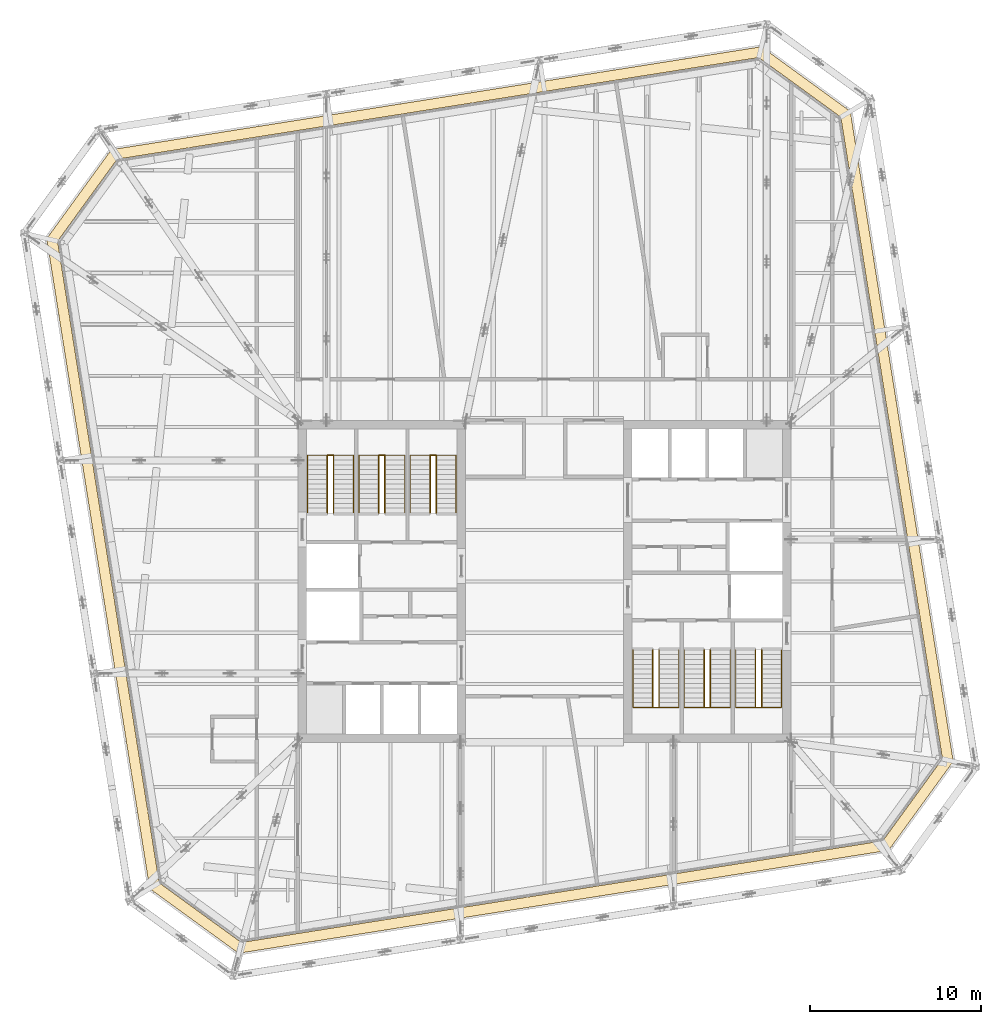
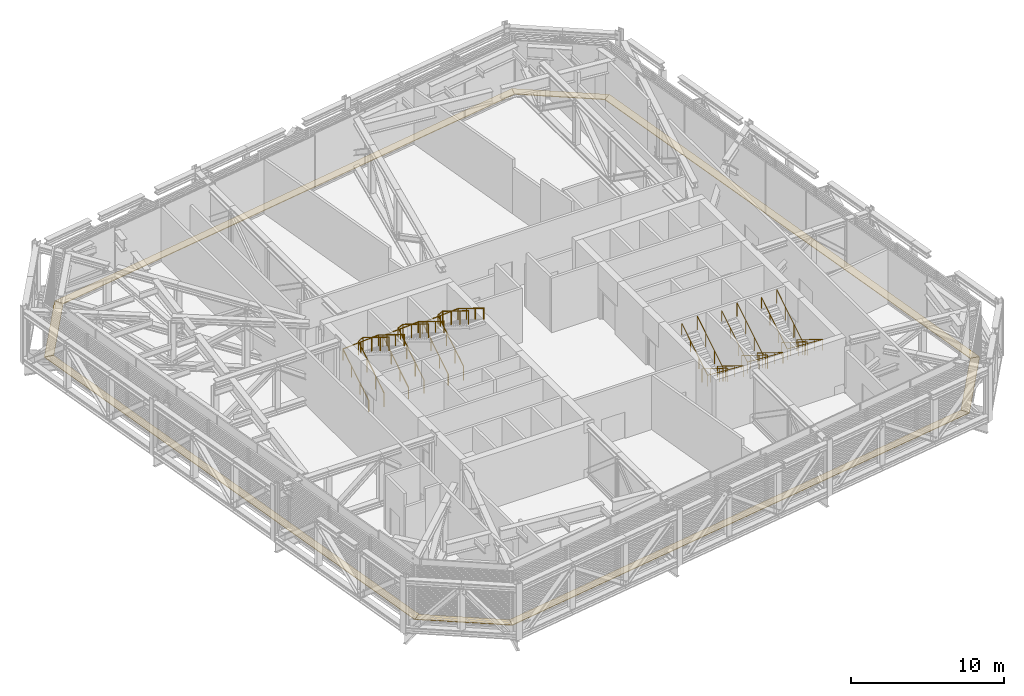
# One storey, part 31 of 32: 12 railings, 8 coverings.
"""IFC4 building model written with IfcOpenShell, lengths in metres."""

from ifc_helpers import new_model, si_unit, direction, frame, origin, origin_2d, place, context, subcontext, project, spatial, polyline, circle, outline, extrude, material, layer, layer_set, type_object, element, save


model = new_model("IFC4")

# Units and contexts
model_context = context("Model", 3, precision=1e-05, world=origin(), true_north=direction((0.0, 1.0)))
body_context = subcontext(model_context, "Body", "Model", "MODEL_VIEW")
ifc_project = project(units=[si_unit("LENGTHUNIT", "METRE"), si_unit("AREAUNIT", "SQUARE_METRE"), si_unit("VOLUMEUNIT", "CUBIC_METRE"), si_unit("PLANEANGLEUNIT", "RADIAN"), si_unit("MASSUNIT", "GRAM", prefix="KILO")], contexts=[model_context])

# Site, building, storey
site_placement = place(None, origin())
site = spatial("IfcSite", under=ifc_project, at=site_placement, CompositionType="ELEMENT")
building_placement = place(site_placement, origin())
building = spatial("IfcBuilding", under=site, at=building_placement, Name="Millrace Tower", CompositionType="ELEMENT")
storey_placement = place(building_placement, frame((0.0, 0.0, 266.89990234375)))
storey = spatial("IfcBuildingStorey", under=building, at=storey_placement, Name="L61", CompositionType="ELEMENT", Elevation=266.89990234375)

# Coverings
ifc_material_1 = material(Name="Steel ASTM A36", Category="steel")
ifc_layer = layer(ifc_material_1, 0.050048828125)
ifc_layer_set = layer_set([ifc_layer], Name="Steel ASTM A36")
covering_type = type_object("IfcCoveringType", Name="CAVITY CATWALK steel grating", PredefinedType="FLOORING", material=ifc_layer_set)
placement = place(storey_placement, frame((0.0, 0.0, 0.10009765625)))
element("IfcCovering", 1, at=placement, inside=storey, type_object=covering_type, Name="Cavity catwalk grating D-F01 L61 1", PredefinedType="FLOORING", context=body_context, shape_type="SweptSolid", body=[
    extrude(outline(polyline([(-23.052490234375, -17.939453125), (-17.85888671875, -21.712890625), (-17.707275390625, -21.081298828125), (-22.49853515625, -17.60009765625), (-23.052490234375, -17.939453125)])), origin(), (0.0, 0.0, 1.0), 0.050048828125),
])
element("IfcCovering", 2, at=placement, inside=storey, type_object=covering_type, Name="Cavity catwalk grating D-F02 L61 1", PredefinedType="FLOORING", context=body_context, shape_type="SweptSolid", body=[
    extrude(outline(polyline([(-17.85888671875, -21.712890625), (20.08935546875, -15.702392578125), (19.750244140625, -15.148681640625), (-17.707275390625, -21.081298828125), (-17.85888671875, -21.712890625)])), origin(), (0.0, 0.0, 1.0), 0.050048828125),
])
element("IfcCovering", 3, at=placement, inside=storey, type_object=covering_type, Name="Cavity catwalk grating D-F03 L61 1", PredefinedType="FLOORING", context=body_context, shape_type="SweptSolid", body=[
    extrude(outline(polyline([(20.08935546875, -15.702392578125), (23.86279296875, -10.5087890625), (23.231201171875, -10.357177734375), (19.750244140625, -15.148681640625), (20.08935546875, -15.702392578125)])), origin(), (0.0, 0.0, 1.0), 0.050048828125),
])
element("IfcCovering", 4, at=placement, inside=storey, type_object=covering_type, Name="Cavity catwalk grating D-F04 L61 1", PredefinedType="FLOORING", context=body_context, shape_type="SweptSolid", body=[
    extrude(outline(polyline([(23.86279296875, -10.5087890625), (17.852294921875, 27.439453125), (17.298583984375, 27.10009765625), (23.231201171875, -10.357177734375), (23.86279296875, -10.5087890625)])), origin(), (0.0, 0.0, 1.0), 0.050048828125),
])
element("IfcCovering", 5, at=placement, inside=storey, type_object=covering_type, Name="Cavity catwalk grating D-F05 L61 1", PredefinedType="FLOORING", context=body_context, shape_type="SweptSolid", body=[
    extrude(outline(polyline([(17.852294921875, 27.439453125), (12.658935546875, 31.212890625), (12.50732421875, 30.581298828125), (17.298583984375, 27.10009765625), (17.852294921875, 27.439453125)])), origin(), (0.0, 0.0, 1.0), 0.050048828125),
])
element("IfcCovering", 6, at=placement, inside=storey, type_object=covering_type, Name="Cavity catwalk grating D-F06 L61 1", PredefinedType="FLOORING", context=body_context, shape_type="SweptSolid", body=[
    extrude(outline(polyline([(12.658935546875, 31.212890625), (-25.28955078125, 25.202392578125), (-24.9501953125, 24.648681640625), (12.50732421875, 30.581298828125), (12.658935546875, 31.212890625)])), origin(), (0.0, 0.0, 1.0), 0.050048828125),
])
element("IfcCovering", 7, at=placement, inside=storey, type_object=covering_type, Name="Cavity catwalk grating D-F07 L61 1", PredefinedType="FLOORING", context=body_context, shape_type="SweptSolid", body=[
    extrude(outline(polyline([(-25.28955078125, 25.202392578125), (-29.062744140625, 20.0087890625), (-28.431396484375, 19.857177734375), (-24.9501953125, 24.648681640625), (-25.28955078125, 25.202392578125)])), origin(), (0.0, 0.0, 1.0), 0.050048828125),
])
element("IfcCovering", 8, at=placement, inside=storey, type_object=covering_type, Name="Cavity catwalk grating D-F08 L61 1", PredefinedType="FLOORING", context=body_context, shape_type="SweptSolid", body=[
    extrude(outline(polyline([(-29.062744140625, 20.0087890625), (-23.052490234375, -17.939453125), (-22.49853515625, -17.60009765625), (-28.431396484375, 19.857177734375), (-29.062744140625, 20.0087890625)])), origin(), (0.0, 0.0, 1.0), 0.050048828125),
])

# Railings
ifc_material_2 = material(Name="Stainless steel ASTM A240 type 316", Category="steel")
railing_type_1 = type_object("IfcRailingType", Name="Stair guard 1100", PredefinedType="GUARDRAIL", material=ifc_material_2)
for number, where, name in (
    (9, (-12.679931640625, 4.0, 0.173095703125), "Stair guard 1 W L61"),
    (10, (-9.679931640625, 4.0, 0.173095703125), "Stair guard 2 W L61"),
    (11, (-6.679931640625, 4.0, 0.173095703125), "Stair guard 3 W L61"),
):
    element("IfcRailing", number, at=place(storey_placement, frame(where)), inside=storey, type_object=railing_type_1, Name=name, PredefinedType="GUARDRAIL", context=body_context, shape_type="SweptSolid", body=[
        extrude(circle(Radius=0.02392578125, at=origin_2d()), frame((0.0, 0.0, 1.076171875), z_axis=(0.0, 0.850623216509, 0.525775754039), x_axis=(-1.0, 0.0, 0.0)), (0.0, 0.0, 1.0), 3.9501953125),
        extrude(circle(Radius=0.02392578125, at=origin_2d()), frame((0.0, 3.360107421875, 3.15283203125), z_axis=(0.901169764794, 0.0, 0.433466325128), x_axis=(0.0, 1.0, 0.0)), (0.0, 0.0, 1.0), 0.3994140625),
        extrude(circle(Radius=0.02392578125, at=origin_2d()), frame((0.35986328125, 3.360107421875, 3.326171875), z_axis=(0.0, -0.850623216509, 0.525775754039), x_axis=(1.0, 0.0, 0.0)), (0.0, 0.0, 1.0), 3.9501953125),
        extrude(circle(Radius=0.02099609375, at=origin_2d()), origin(), (0.0, 0.0, 1.0), 1.052001953125),
        extrude(circle(Radius=0.02099609375, at=origin_2d()), frame((0.0, 1.1201171875, 0.6923828125)), (0.0, 0.0, 1.0), 1.052001953125),
        extrude(circle(Radius=0.02099609375, at=origin_2d()), frame((0.0, 2.239990234375, 1.384521484375)), (0.0, 0.0, 1.0), 1.052001953125),
        extrude(circle(Radius=0.02099609375, at=origin_2d()), frame((0.0, 3.360107421875, 2.076904296875)), (0.0, 0.0, 1.0), 1.052001953125),
        extrude(circle(Radius=0.02099609375, at=origin_2d()), frame((0.35986328125, 3.360107421875, 2.25)), (0.0, 0.0, 1.0), 1.052001953125),
        extrude(circle(Radius=0.02099609375, at=origin_2d()), frame((0.35986328125, 2.239990234375, 2.9423828125)), (0.0, 0.0, 1.0), 1.052001953125),
        extrude(circle(Radius=0.02099609375, at=origin_2d()), frame((0.35986328125, 1.1201171875, 3.634521484375)), (0.0, 0.0, 1.0), 1.052001953125),
        extrude(circle(Radius=0.02099609375, at=origin_2d()), frame((0.35986328125, 0.0, 4.326904296875)), (0.0, 0.0, 1.0), 1.052001953125),
    ])
for number, where, name in (
    (12, (12.679931640625, -4.0, 0.173095703125), "Stair guard 1 E L61"),
    (13, (9.679931640625, -4.0, 0.173095703125), "Stair guard 2 E L61"),
    (14, (6.679931640625, -4.0, 0.173095703125), "Stair guard 3 E L61"),
):
    element("IfcRailing", number, at=place(storey_placement, frame(where)), inside=storey, type_object=railing_type_1, Name=name, PredefinedType="GUARDRAIL", context=body_context, shape_type="SweptSolid", body=[
        extrude(circle(Radius=0.02392578125, at=origin_2d()), frame((0.0, 0.0, 1.076171875), z_axis=(0.0, -0.850623216509, 0.525775754039), x_axis=(1.0, 0.0, 0.0)), (0.0, 0.0, 1.0), 3.9501953125),
        extrude(circle(Radius=0.02392578125, at=origin_2d()), frame((0.0, -3.360107421875, 3.15283203125), z_axis=(-0.901169764794, 0.0, 0.433466325128), x_axis=(0.0, -1.0, 0.0)), (0.0, 0.0, 1.0), 0.3994140625),
        extrude(circle(Radius=0.02392578125, at=origin_2d()), frame((-0.35986328125, -3.360107421875, 3.326171875), z_axis=(0.0, 0.850623216509, 0.525775754039), x_axis=(-1.0, 0.0, 0.0)), (0.0, 0.0, 1.0), 3.9501953125),
        extrude(circle(Radius=0.02099609375, at=origin_2d()), origin(), (0.0, 0.0, 1.0), 1.052001953125),
        extrude(circle(Radius=0.02099609375, at=origin_2d()), frame((0.0, -1.1201171875, 0.6923828125)), (0.0, 0.0, 1.0), 1.052001953125),
        extrude(circle(Radius=0.02099609375, at=origin_2d()), frame((0.0, -2.239990234375, 1.384521484375)), (0.0, 0.0, 1.0), 1.052001953125),
        extrude(circle(Radius=0.02099609375, at=origin_2d()), frame((0.0, -3.360107421875, 2.076904296875)), (0.0, 0.0, 1.0), 1.052001953125),
        extrude(circle(Radius=0.02099609375, at=origin_2d()), frame((-0.35986328125, -3.360107421875, 2.25)), (0.0, 0.0, 1.0), 1.052001953125),
        extrude(circle(Radius=0.02099609375, at=origin_2d()), frame((-0.35986328125, -2.239990234375, 2.9423828125)), (0.0, 0.0, 1.0), 1.052001953125),
        extrude(circle(Radius=0.02099609375, at=origin_2d()), frame((-0.35986328125, -1.1201171875, 3.634521484375)), (0.0, 0.0, 1.0), 1.052001953125),
        extrude(circle(Radius=0.02099609375, at=origin_2d()), frame((-0.35986328125, 0.0, 4.326904296875)), (0.0, 0.0, 1.0), 1.052001953125),
    ])
ifc_material_3 = material(Name="Stainless steel ASTM A240 type 316", Category="steel")
railing_type_2 = type_object("IfcRailingType", Name="Stair handrail 900", PredefinedType="HANDRAIL", material=ifc_material_3)
railing_1_placement = place(storey_placement, frame((-13.840087890625, 4.0, 0.173095703125)))
element("IfcRailing", 15, at=railing_1_placement, inside=storey, type_object=railing_type_2, Name="Stair handrail 1 W L61", PredefinedType="HANDRAIL", context=body_context, shape_type="SweptSolid", body=[
    extrude(circle(Radius=0.02392578125, at=origin_2d()), frame((0.0, 0.0, 0.8759765625), z_axis=(0.0, 0.850623216509, 0.525775754039), x_axis=(-1.0, 0.0, 0.0)), (0.0, 0.0, 1.0), 3.9501953125),
    extrude(circle(Radius=0.02392578125, at=origin_2d()), frame((0.0, 3.360107421875, 2.95263671875), z_axis=(0.997920973561, 0.0, 0.064449441634), x_axis=(0.0, 1.0, 0.0)), (0.0, 0.0, 1.0), 2.685791015625),
    extrude(circle(Radius=0.02392578125, at=origin_2d()), frame((2.68017578125, 3.360107421875, 3.1259765625), z_axis=(0.0, -0.850623216509, 0.525775754039), x_axis=(1.0, 0.0, 0.0)), (0.0, 0.0, 1.0), 3.9501953125),
    extrude(circle(Radius=0.02099609375, at=origin_2d()), origin(), (0.0, 0.0, 1.0), 0.851806640625),
    extrude(circle(Radius=0.02099609375, at=origin_2d()), frame((0.0, 1.1201171875, 0.6923828125)), (0.0, 0.0, 1.0), 0.851806640625),
    extrude(circle(Radius=0.02099609375, at=origin_2d()), frame((0.0, 2.239990234375, 1.384521484375)), (0.0, 0.0, 1.0), 0.851806640625),
    extrude(circle(Radius=0.02099609375, at=origin_2d()), frame((0.0, 3.360107421875, 2.076904296875)), (0.0, 0.0, 1.0), 0.851806640625),
    extrude(circle(Radius=0.02099609375, at=origin_2d()), frame((1.340087890625, 3.360107421875, 2.16357421875)), (0.0, 0.0, 1.0), 0.851806640625),
    extrude(circle(Radius=0.02099609375, at=origin_2d()), frame((2.68017578125, 3.360107421875, 2.25)), (0.0, 0.0, 1.0), 0.851806640625),
    extrude(circle(Radius=0.02099609375, at=origin_2d()), frame((2.68017578125, 2.239990234375, 2.9423828125)), (0.0, 0.0, 1.0), 0.851806640625),
    extrude(circle(Radius=0.02099609375, at=origin_2d()), frame((2.68017578125, 1.1201171875, 3.634521484375)), (0.0, 0.0, 1.0), 0.851806640625),
    extrude(circle(Radius=0.02099609375, at=origin_2d()), frame((2.68017578125, 0.0, 4.326904296875)), (0.0, 0.0, 1.0), 0.851806640625),
])
railing_2_placement = place(storey_placement, frame((-10.840087890625, 4.0, 0.173095703125)))
element("IfcRailing", 16, at=railing_2_placement, inside=storey, type_object=railing_type_2, Name="Stair handrail 2 W L61", PredefinedType="HANDRAIL", context=body_context, shape_type="SweptSolid", body=[
    extrude(circle(Radius=0.02392578125, at=origin_2d()), frame((0.0, 0.0, 0.8759765625), z_axis=(0.0, 0.850623216509, 0.525775754039), x_axis=(-1.0, 0.0, 0.0)), (0.0, 0.0, 1.0), 3.9501953125),
    extrude(circle(Radius=0.02392578125, at=origin_2d()), frame((0.0, 3.360107421875, 2.95263671875), z_axis=(0.997920973561, 0.0, 0.064449441634), x_axis=(0.0, 1.0, 0.0)), (0.0, 0.0, 1.0), 2.685791015625),
    extrude(circle(Radius=0.02392578125, at=origin_2d()), frame((2.68017578125, 3.360107421875, 3.1259765625), z_axis=(0.0, -0.850623216509, 0.525775754039), x_axis=(1.0, 0.0, 0.0)), (0.0, 0.0, 1.0), 3.9501953125),
    extrude(circle(Radius=0.02099609375, at=origin_2d()), origin(), (0.0, 0.0, 1.0), 0.851806640625),
    extrude(circle(Radius=0.02099609375, at=origin_2d()), frame((0.0, 1.1201171875, 0.6923828125)), (0.0, 0.0, 1.0), 0.851806640625),
    extrude(circle(Radius=0.02099609375, at=origin_2d()), frame((0.0, 2.239990234375, 1.384521484375)), (0.0, 0.0, 1.0), 0.851806640625),
    extrude(circle(Radius=0.02099609375, at=origin_2d()), frame((0.0, 3.360107421875, 2.076904296875)), (0.0, 0.0, 1.0), 0.851806640625),
    extrude(circle(Radius=0.02099609375, at=origin_2d()), frame((1.340087890625, 3.360107421875, 2.16357421875)), (0.0, 0.0, 1.0), 0.851806640625),
    extrude(circle(Radius=0.02099609375, at=origin_2d()), frame((2.68017578125, 3.360107421875, 2.25)), (0.0, 0.0, 1.0), 0.851806640625),
    extrude(circle(Radius=0.02099609375, at=origin_2d()), frame((2.68017578125, 2.239990234375, 2.9423828125)), (0.0, 0.0, 1.0), 0.851806640625),
    extrude(circle(Radius=0.02099609375, at=origin_2d()), frame((2.68017578125, 1.1201171875, 3.634521484375)), (0.0, 0.0, 1.0), 0.851806640625),
    extrude(circle(Radius=0.02099609375, at=origin_2d()), frame((2.68017578125, 0.0, 4.326904296875)), (0.0, 0.0, 1.0), 0.851806640625),
])
railing_3_placement = place(storey_placement, frame((-7.840087890625, 4.0, 0.173095703125)))
element("IfcRailing", 17, at=railing_3_placement, inside=storey, type_object=railing_type_2, Name="Stair handrail 3 W L61", PredefinedType="HANDRAIL", context=body_context, shape_type="SweptSolid", body=[
    extrude(circle(Radius=0.02392578125, at=origin_2d()), frame((0.0, 0.0, 0.8759765625), z_axis=(0.0, 0.850623216509, 0.525775754039), x_axis=(-1.0, 0.0, 0.0)), (0.0, 0.0, 1.0), 3.9501953125),
    extrude(circle(Radius=0.02392578125, at=origin_2d()), frame((0.0, 3.360107421875, 2.95263671875), z_axis=(0.997920973561, 0.0, 0.064449441634), x_axis=(0.0, 1.0, 0.0)), (0.0, 0.0, 1.0), 2.685791015625),
    extrude(circle(Radius=0.02392578125, at=origin_2d()), frame((2.68017578125, 3.360107421875, 3.1259765625), z_axis=(0.0, -0.850623216509, 0.525775754039), x_axis=(1.0, 0.0, 0.0)), (0.0, 0.0, 1.0), 3.9501953125),
    extrude(circle(Radius=0.02099609375, at=origin_2d()), origin(), (0.0, 0.0, 1.0), 0.851806640625),
    extrude(circle(Radius=0.02099609375, at=origin_2d()), frame((0.0, 1.1201171875, 0.6923828125)), (0.0, 0.0, 1.0), 0.851806640625),
    extrude(circle(Radius=0.02099609375, at=origin_2d()), frame((0.0, 2.239990234375, 1.384521484375)), (0.0, 0.0, 1.0), 0.851806640625),
    extrude(circle(Radius=0.02099609375, at=origin_2d()), frame((0.0, 3.360107421875, 2.076904296875)), (0.0, 0.0, 1.0), 0.851806640625),
    extrude(circle(Radius=0.02099609375, at=origin_2d()), frame((1.340087890625, 3.360107421875, 2.16357421875)), (0.0, 0.0, 1.0), 0.851806640625),
    extrude(circle(Radius=0.02099609375, at=origin_2d()), frame((2.68017578125, 3.360107421875, 2.25)), (0.0, 0.0, 1.0), 0.851806640625),
    extrude(circle(Radius=0.02099609375, at=origin_2d()), frame((2.68017578125, 2.239990234375, 2.9423828125)), (0.0, 0.0, 1.0), 0.851806640625),
    extrude(circle(Radius=0.02099609375, at=origin_2d()), frame((2.68017578125, 1.1201171875, 3.634521484375)), (0.0, 0.0, 1.0), 0.851806640625),
    extrude(circle(Radius=0.02099609375, at=origin_2d()), frame((2.68017578125, 0.0, 4.326904296875)), (0.0, 0.0, 1.0), 0.851806640625),
])
railing_4_placement = place(storey_placement, frame((13.840087890625, -4.0, 0.173095703125)))
element("IfcRailing", 18, at=railing_4_placement, inside=storey, type_object=railing_type_2, Name="Stair handrail 1 E L61", PredefinedType="HANDRAIL", context=body_context, shape_type="SweptSolid", body=[
    extrude(circle(Radius=0.02392578125, at=origin_2d()), frame((0.0, 0.0, 0.8759765625), z_axis=(0.0, -0.850623216509, 0.525775754039), x_axis=(1.0, 0.0, 0.0)), (0.0, 0.0, 1.0), 3.9501953125),
    extrude(circle(Radius=0.02392578125, at=origin_2d()), frame((0.0, -3.360107421875, 2.95263671875), z_axis=(-0.997920973561, 0.0, 0.064449441634), x_axis=(0.0, -1.0, 0.0)), (0.0, 0.0, 1.0), 2.685791015625),
    extrude(circle(Radius=0.02392578125, at=origin_2d()), frame((-2.68017578125, -3.360107421875, 3.1259765625), z_axis=(0.0, 0.850623216509, 0.525775754039), x_axis=(-1.0, 0.0, 0.0)), (0.0, 0.0, 1.0), 3.9501953125),
    extrude(circle(Radius=0.02099609375, at=origin_2d()), origin(), (0.0, 0.0, 1.0), 0.851806640625),
    extrude(circle(Radius=0.02099609375, at=origin_2d()), frame((0.0, -1.1201171875, 0.6923828125)), (0.0, 0.0, 1.0), 0.851806640625),
    extrude(circle(Radius=0.02099609375, at=origin_2d()), frame((0.0, -2.239990234375, 1.384521484375)), (0.0, 0.0, 1.0), 0.851806640625),
    extrude(circle(Radius=0.02099609375, at=origin_2d()), frame((0.0, -3.360107421875, 2.076904296875)), (0.0, 0.0, 1.0), 0.851806640625),
    extrude(circle(Radius=0.02099609375, at=origin_2d()), frame((-1.340087890625, -3.360107421875, 2.16357421875)), (0.0, 0.0, 1.0), 0.851806640625),
    extrude(circle(Radius=0.02099609375, at=origin_2d()), frame((-2.68017578125, -3.360107421875, 2.25)), (0.0, 0.0, 1.0), 0.851806640625),
    extrude(circle(Radius=0.02099609375, at=origin_2d()), frame((-2.68017578125, -2.239990234375, 2.9423828125)), (0.0, 0.0, 1.0), 0.851806640625),
    extrude(circle(Radius=0.02099609375, at=origin_2d()), frame((-2.68017578125, -1.1201171875, 3.634521484375)), (0.0, 0.0, 1.0), 0.851806640625),
    extrude(circle(Radius=0.02099609375, at=origin_2d()), frame((-2.68017578125, 0.0, 4.326904296875)), (0.0, 0.0, 1.0), 0.851806640625),
])
railing_5_placement = place(storey_placement, frame((10.840087890625, -4.0, 0.173095703125)))
element("IfcRailing", 19, at=railing_5_placement, inside=storey, type_object=railing_type_2, Name="Stair handrail 2 E L61", PredefinedType="HANDRAIL", context=body_context, shape_type="SweptSolid", body=[
    extrude(circle(Radius=0.02392578125, at=origin_2d()), frame((0.0, 0.0, 0.8759765625), z_axis=(0.0, -0.850623216509, 0.525775754039), x_axis=(1.0, 0.0, 0.0)), (0.0, 0.0, 1.0), 3.9501953125),
    extrude(circle(Radius=0.02392578125, at=origin_2d()), frame((0.0, -3.360107421875, 2.95263671875), z_axis=(-0.997920973561, 0.0, 0.064449441634), x_axis=(0.0, -1.0, 0.0)), (0.0, 0.0, 1.0), 2.685791015625),
    extrude(circle(Radius=0.02392578125, at=origin_2d()), frame((-2.68017578125, -3.360107421875, 3.1259765625), z_axis=(0.0, 0.850623216509, 0.525775754039), x_axis=(-1.0, 0.0, 0.0)), (0.0, 0.0, 1.0), 3.9501953125),
    extrude(circle(Radius=0.02099609375, at=origin_2d()), origin(), (0.0, 0.0, 1.0), 0.851806640625),
    extrude(circle(Radius=0.02099609375, at=origin_2d()), frame((0.0, -1.1201171875, 0.6923828125)), (0.0, 0.0, 1.0), 0.851806640625),
    extrude(circle(Radius=0.02099609375, at=origin_2d()), frame((0.0, -2.239990234375, 1.384521484375)), (0.0, 0.0, 1.0), 0.851806640625),
    extrude(circle(Radius=0.02099609375, at=origin_2d()), frame((0.0, -3.360107421875, 2.076904296875)), (0.0, 0.0, 1.0), 0.851806640625),
    extrude(circle(Radius=0.02099609375, at=origin_2d()), frame((-1.340087890625, -3.360107421875, 2.16357421875)), (0.0, 0.0, 1.0), 0.851806640625),
    extrude(circle(Radius=0.02099609375, at=origin_2d()), frame((-2.68017578125, -3.360107421875, 2.25)), (0.0, 0.0, 1.0), 0.851806640625),
    extrude(circle(Radius=0.02099609375, at=origin_2d()), frame((-2.68017578125, -2.239990234375, 2.9423828125)), (0.0, 0.0, 1.0), 0.851806640625),
    extrude(circle(Radius=0.02099609375, at=origin_2d()), frame((-2.68017578125, -1.1201171875, 3.634521484375)), (0.0, 0.0, 1.0), 0.851806640625),
    extrude(circle(Radius=0.02099609375, at=origin_2d()), frame((-2.68017578125, 0.0, 4.326904296875)), (0.0, 0.0, 1.0), 0.851806640625),
])
railing_6_placement = place(storey_placement, frame((7.840087890625, -4.0, 0.173095703125)))
element("IfcRailing", 20, at=railing_6_placement, inside=storey, type_object=railing_type_2, Name="Stair handrail 3 E L61", PredefinedType="HANDRAIL", context=body_context, shape_type="SweptSolid", body=[
    extrude(circle(Radius=0.02392578125, at=origin_2d()), frame((0.0, 0.0, 0.8759765625), z_axis=(0.0, -0.850623216509, 0.525775754039), x_axis=(1.0, 0.0, 0.0)), (0.0, 0.0, 1.0), 3.9501953125),
    extrude(circle(Radius=0.02392578125, at=origin_2d()), frame((0.0, -3.360107421875, 2.95263671875), z_axis=(-0.997920973561, 0.0, 0.064449441634), x_axis=(0.0, -1.0, 0.0)), (0.0, 0.0, 1.0), 2.685791015625),
    extrude(circle(Radius=0.02392578125, at=origin_2d()), frame((-2.68017578125, -3.360107421875, 3.1259765625), z_axis=(0.0, 0.850623216509, 0.525775754039), x_axis=(-1.0, 0.0, 0.0)), (0.0, 0.0, 1.0), 3.9501953125),
    extrude(circle(Radius=0.02099609375, at=origin_2d()), origin(), (0.0, 0.0, 1.0), 0.851806640625),
    extrude(circle(Radius=0.02099609375, at=origin_2d()), frame((0.0, -1.1201171875, 0.6923828125)), (0.0, 0.0, 1.0), 0.851806640625),
    extrude(circle(Radius=0.02099609375, at=origin_2d()), frame((0.0, -2.239990234375, 1.384521484375)), (0.0, 0.0, 1.0), 0.851806640625),
    extrude(circle(Radius=0.02099609375, at=origin_2d()), frame((0.0, -3.360107421875, 2.076904296875)), (0.0, 0.0, 1.0), 0.851806640625),
    extrude(circle(Radius=0.02099609375, at=origin_2d()), frame((-1.340087890625, -3.360107421875, 2.16357421875)), (0.0, 0.0, 1.0), 0.851806640625),
    extrude(circle(Radius=0.02099609375, at=origin_2d()), frame((-2.68017578125, -3.360107421875, 2.25)), (0.0, 0.0, 1.0), 0.851806640625),
    extrude(circle(Radius=0.02099609375, at=origin_2d()), frame((-2.68017578125, -2.239990234375, 2.9423828125)), (0.0, 0.0, 1.0), 0.851806640625),
    extrude(circle(Radius=0.02099609375, at=origin_2d()), frame((-2.68017578125, -1.1201171875, 3.634521484375)), (0.0, 0.0, 1.0), 0.851806640625),
    extrude(circle(Radius=0.02099609375, at=origin_2d()), frame((-2.68017578125, 0.0, 4.326904296875)), (0.0, 0.0, 1.0), 0.851806640625),
])

save(model, "model.ifc")
